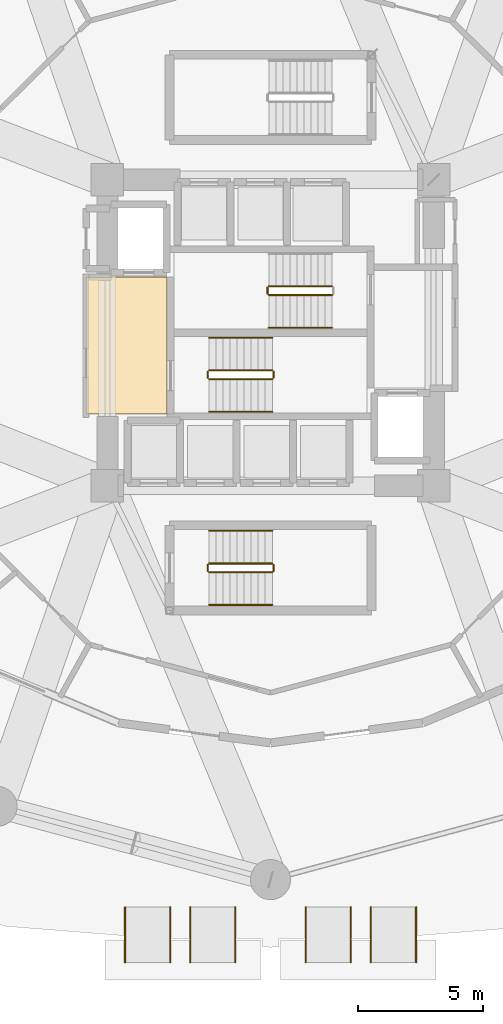
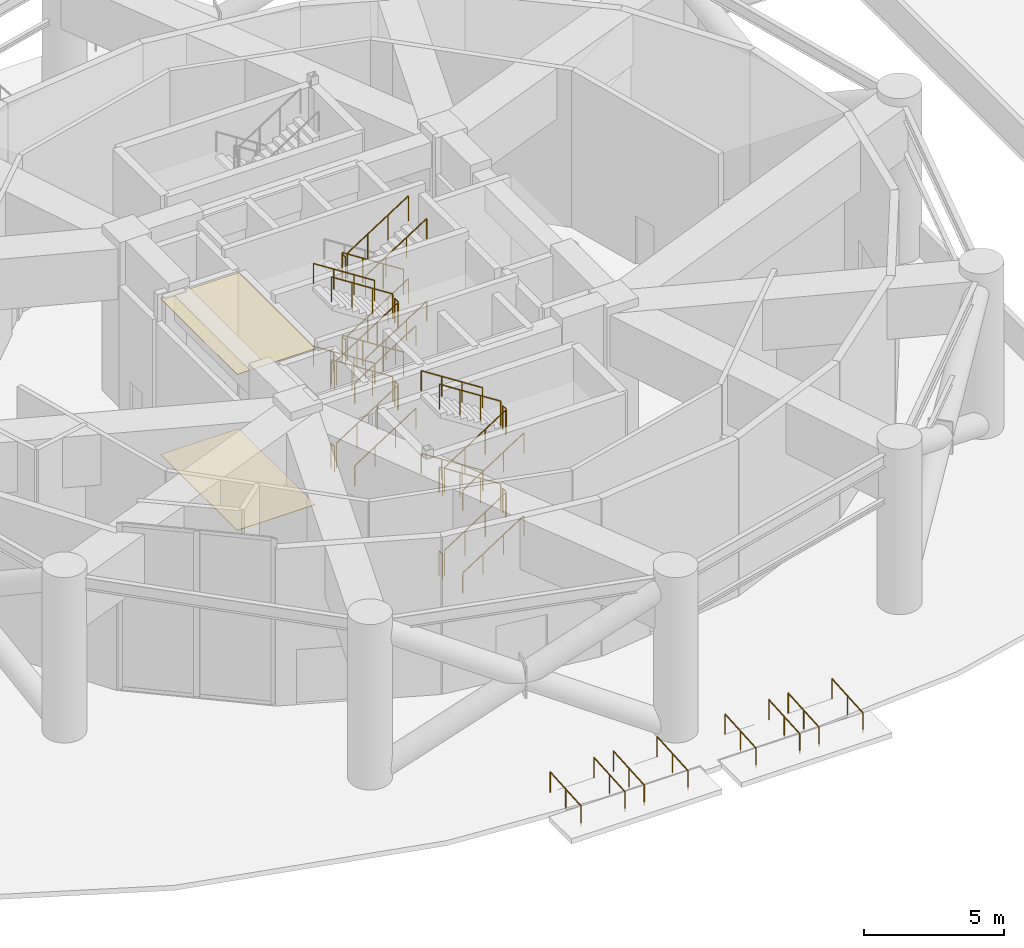
# One storey, part 14 of 16: 40 railings, 2 coverings.
"""IFC4 building model written with IfcOpenShell, lengths in metres."""

from ifc_helpers import new_model, si_unit, direction, frame, origin, origin_2d, place, context, subcontext, project, spatial, polyline, circle, outline, extrude, material, layer, layer_set, type_object, element, save


model = new_model("IFC4")

# Units and contexts
model_context = context("Model", 3, precision=1e-05, world=origin(), true_north=direction((0.0, 1.0)))
body_context = subcontext(model_context, "Body", "Model", "MODEL_VIEW")
ifc_project = project(units=[si_unit("LENGTHUNIT", "METRE"), si_unit("AREAUNIT", "SQUARE_METRE"), si_unit("VOLUMEUNIT", "CUBIC_METRE"), si_unit("PLANEANGLEUNIT", "RADIAN"), si_unit("MASSUNIT", "GRAM", prefix="KILO")], contexts=[model_context])

# Site, building, storey
site_placement = place(None, origin())
site = spatial("IfcSite", under=ifc_project, at=site_placement, CompositionType="ELEMENT")
building_placement = place(site_placement, origin())
building = spatial("IfcBuilding", under=site, at=building_placement, Name="Solvirekh Grand Hotel", CompositionType="ELEMENT")
storey_placement = place(building_placement, origin())
storey = spatial("IfcBuildingStorey", under=building, at=storey_placement, Name="L00", CompositionType="ELEMENT", Elevation=0.0)

# Coverings
ifc_material_1 = material(Name="Acoustic Mineral Ceiling Tile")
ifc_layer_1 = layer(ifc_material_1, 0.02490234375)
ifc_layer_set_1 = layer_set([ifc_layer_1], Name="Acoustic Mineral Ceiling Tile")
covering_type_1 = type_object("IfcCoveringType", Name="Cov_Ceiling_Acoustic", PredefinedType="CEILING", material=ifc_layer_set_1)
covering_1_placement = place(storey_placement, frame((0.0, 0.0, 6.7900390625)))
element("IfcCovering", 1, at=covering_1_placement, inside=storey, type_object=covering_type_1, Name="L00 Firefighting Lobby West acoustic ceiling", PredefinedType="CEILING", context=body_context, shape_type="SweptSolid", body=[
    extrude(outline(polyline([(-7.35009765625, -3.25), (-4.1298828125, -3.25), (-4.1298828125, 2.2099609375), (-7.35009765625, 2.2099609375), (-7.35009765625, -3.25)])), origin(), (0.0, 0.0, 1.0), 0.01806640625),
])
ifc_material_2 = material(Name="Porcelain Stoneware Flooring", Category="masonry")
ifc_layer_2 = layer(ifc_material_2, 0.030029296875)
ifc_layer_set_2 = layer_set([ifc_layer_2], Name="Porcelain Stoneware Flooring")
covering_type_2 = type_object("IfcCoveringType", Name="Cov_Floor_Stone", PredefinedType="FLOORING", material=ifc_layer_set_2)
covering_2_placement = place(storey_placement, origin())
element("IfcCovering", 2, at=covering_2_placement, inside=storey, type_object=covering_type_2, Name="L00 Firefighting Lobby West polished granite flooring", PredefinedType="FLOORING", context=body_context, shape_type="SweptSolid", body=[
    extrude(outline(polyline([(-7.35009765625, -3.25), (-4.1298828125, -3.25), (-4.1298828125, 2.2099609375), (-7.35009765625, 2.2099609375), (-7.35009765625, -3.25)])), origin(), (0.0, 0.0, 1.0), 0.02001953125),
])

# Railings
ifc_material_3 = material(Name="Steel S355", Category="steel")
railing_type_1 = type_object("IfcRailingType", Name="Guard_Stair_1100", PredefinedType="GUARDRAIL", material=ifc_material_3)
railing_1_placement = place(storey_placement, frame((-2.449951171875, -1.85009765625, 0.179931640625)))
element("IfcRailing", 3, at=railing_1_placement, inside=storey, type_object=railing_type_1, Name="L00 ST-1 stair guard 1", PredefinedType="GUARDRAIL", context=body_context, shape_type="SweptSolid", body=[
    extrude(circle(Radius=0.02392578125, at=origin_2d()), frame((0.0, 0.0, 1.076171875), z_axis=(0.841162588446, 0.0, 0.540782303519), x_axis=(0.0, 1.0, 0.0)), (0.0, 0.0, 1.0), 2.995849609375),
    extrude(circle(Radius=0.02099609375, at=origin_2d()), origin(), (0.0, 0.0, 1.0), 1.052001953125),
    extrude(circle(Radius=0.02099609375, at=origin_2d()), frame((0.840087890625, 0.0, 0.5400390625)), (0.0, 0.0, 1.0), 1.052001953125),
    extrude(circle(Radius=0.02099609375, at=origin_2d()), frame((1.679931640625, 0.0, 1.080078125)), (0.0, 0.0, 1.0), 1.052001953125),
    extrude(circle(Radius=0.02099609375, at=origin_2d()), frame((2.52001953125, 0.0, 1.6201171875)), (0.0, 0.0, 1.0), 1.052001953125),
])
railing_2_placement = place(storey_placement, frame((0.1201171875, -1.800048828125, 1.800048828125)))
element("IfcRailing", 4, at=railing_2_placement, inside=storey, type_object=railing_type_1, Name="L00 ST-1 stair guard 2", PredefinedType="GUARDRAIL", context=body_context, shape_type="SweptSolid", body=[
    extrude(circle(Radius=0.02392578125, at=origin_2d()), frame((0.0, 0.0, 1.076171875), z_axis=(0.0, 1.0, 0.0), x_axis=(-1.0, 0.0, 0.0)), (0.0, 0.0, 1.0), 0.25),
    extrude(circle(Radius=0.02099609375, at=origin_2d()), origin(), (0.0, 0.0, 1.0), 1.052001953125),
    extrude(circle(Radius=0.02099609375, at=origin_2d()), frame((0.0, 0.25, 0.0)), (0.0, 0.0, 1.0), 1.052001953125),
])
railing_3_placement = place(storey_placement, frame((0.070068359375, -1.5, 1.97998046875)))
element("IfcRailing", 5, at=railing_3_placement, inside=storey, type_object=railing_type_1, Name="L00 ST-1 stair guard 3", PredefinedType="GUARDRAIL", context=body_context, shape_type="SweptSolid", body=[
    extrude(circle(Radius=0.02392578125, at=origin_2d()), frame((0.0, 0.0, 1.076171875), z_axis=(-0.841162588446, 0.0, 0.540782303519), x_axis=(0.0, -1.0, 0.0)), (0.0, 0.0, 1.0), 2.995849609375),
    extrude(circle(Radius=0.02099609375, at=origin_2d()), origin(), (0.0, 0.0, 1.0), 1.052001953125),
    extrude(circle(Radius=0.02099609375, at=origin_2d()), frame((-0.840087890625, 0.0, 0.5400390625)), (0.0, 0.0, 1.0), 1.052001953125),
    extrude(circle(Radius=0.02099609375, at=origin_2d()), frame((-1.679931640625, 0.0, 1.080078125)), (0.0, 0.0, 1.0), 1.052001953125),
    extrude(circle(Radius=0.02099609375, at=origin_2d()), frame((-2.52001953125, 0.0, 1.6201171875)), (0.0, 0.0, 1.0), 1.052001953125),
])
railing_4_placement = place(storey_placement, frame((-2.5, -1.800048828125, 3.60009765625)))
element("IfcRailing", 6, at=railing_4_placement, inside=storey, type_object=railing_type_1, Name="L00 ST-1 stair guard 4", PredefinedType="GUARDRAIL", context=body_context, shape_type="SweptSolid", body=[
    extrude(circle(Radius=0.02392578125, at=origin_2d()), frame((0.0, 0.0, 1.076171875), z_axis=(0.0, 1.0, 0.0), x_axis=(-1.0, 0.0, 0.0)), (0.0, 0.0, 1.0), 0.25),
    extrude(circle(Radius=0.02099609375, at=origin_2d()), origin(), (0.0, 0.0, 1.0), 1.052001953125),
    extrude(circle(Radius=0.02099609375, at=origin_2d()), frame((0.0, 0.25, 0.0)), (0.0, 0.0, 1.0), 1.052001953125),
])
railing_5_placement = place(storey_placement, frame((-2.449951171875, -1.85009765625, 3.780029296875)))
element("IfcRailing", 7, at=railing_5_placement, inside=storey, type_object=railing_type_1, Name="L00 ST-1 stair guard 5", PredefinedType="GUARDRAIL", context=body_context, shape_type="SweptSolid", body=[
    extrude(circle(Radius=0.02392578125, at=origin_2d()), frame((0.0, 0.0, 1.076171875), z_axis=(0.841199657755, 0.0, 0.540724639528), x_axis=(0.0, 1.0, 0.0)), (0.0, 0.0, 1.0), 2.995849609375),
    extrude(circle(Radius=0.02099609375, at=origin_2d()), origin(), (0.0, 0.0, 1.0), 1.052001953125),
    extrude(circle(Radius=0.02099609375, at=origin_2d()), frame((0.840087890625, 0.0, 0.5400390625)), (0.0, 0.0, 1.0), 1.052001953125),
    extrude(circle(Radius=0.02099609375, at=origin_2d()), frame((1.679931640625, 0.0, 1.079833984375)), (0.0, 0.0, 1.0), 1.052001953125),
    extrude(circle(Radius=0.02099609375, at=origin_2d()), frame((2.52001953125, 0.0, 1.619873046875)), (0.0, 0.0, 1.0), 1.052001953125),
])
railing_6_placement = place(storey_placement, frame((0.1201171875, -1.800048828125, 5.39990234375)))
element("IfcRailing", 8, at=railing_6_placement, inside=storey, type_object=railing_type_1, Name="L00 ST-1 stair guard 6", PredefinedType="GUARDRAIL", context=body_context, shape_type="SweptSolid", body=[
    extrude(circle(Radius=0.02392578125, at=origin_2d()), frame((0.0, 0.0, 1.076171875), z_axis=(0.0, 1.0, 0.0), x_axis=(-1.0, 0.0, 0.0)), (0.0, 0.0, 1.0), 0.25),
    extrude(circle(Radius=0.02099609375, at=origin_2d()), origin(), (0.0, 0.0, 1.0), 1.052001953125),
    extrude(circle(Radius=0.02099609375, at=origin_2d()), frame((0.0, 0.25, 0.0)), (0.0, 0.0, 1.0), 1.052001953125),
])
railing_7_placement = place(storey_placement, frame((0.070068359375, -1.5, 5.580078125)))
element("IfcRailing", 9, at=railing_7_placement, inside=storey, type_object=railing_type_1, Name="L00 ST-1 stair guard 7", PredefinedType="GUARDRAIL", context=body_context, shape_type="SweptSolid", body=[
    extrude(circle(Radius=0.02392578125, at=origin_2d()), frame((0.0, 0.0, 1.076171875), z_axis=(-0.841199657755, 0.0, 0.540724639528), x_axis=(0.0, -1.0, 0.0)), (0.0, 0.0, 1.0), 2.995849609375),
    extrude(circle(Radius=0.02099609375, at=origin_2d()), origin(), (0.0, 0.0, 1.0), 1.052001953125),
    extrude(circle(Radius=0.02099609375, at=origin_2d()), frame((-0.840087890625, 0.0, 0.5400390625)), (0.0, 0.0, 1.0), 1.052001953125),
    extrude(circle(Radius=0.02099609375, at=origin_2d()), frame((-1.679931640625, 0.0, 1.079833984375)), (0.0, 0.0, 1.0), 1.052001953125),
    extrude(circle(Radius=0.02099609375, at=origin_2d()), frame((-2.52001953125, 0.0, 1.619873046875)), (0.0, 0.0, 1.0), 1.052001953125),
])
railing_8_placement = place(storey_placement, frame((-2.5, -1.800048828125, 0.0)))
element("IfcRailing", 10, at=railing_8_placement, inside=storey, type_object=railing_type_1, Name="L00 ST-1 stair guard 8", PredefinedType="GUARDRAIL", context=body_context, shape_type="SweptSolid", body=[
    extrude(circle(Radius=0.02392578125, at=origin_2d()), frame((0.0, 0.0, 1.076171875), z_axis=(0.0, 1.0, 0.0), x_axis=(-1.0, 0.0, 0.0)), (0.0, 0.0, 1.0), 0.25),
    extrude(circle(Radius=0.02099609375, at=origin_2d()), origin(), (0.0, 0.0, 1.0), 1.052001953125),
    extrude(circle(Radius=0.02099609375, at=origin_2d()), frame((0.0, 0.25, 0.0)), (0.0, 0.0, 1.0), 1.052001953125),
])
railing_9_placement = place(storey_placement, frame((2.449951171875, 1.85009765625, 0.179931640625)))
element("IfcRailing", 11, at=railing_9_placement, inside=storey, type_object=railing_type_1, Name="L00 ST-2 stair guard 1", PredefinedType="GUARDRAIL", context=body_context, shape_type="SweptSolid", body=[
    extrude(circle(Radius=0.02392578125, at=origin_2d()), frame((0.0, 0.0, 1.076171875), z_axis=(-0.841162588446, 0.0, 0.540782303519), x_axis=(0.0, -1.0, 0.0)), (0.0, 0.0, 1.0), 2.995849609375),
    extrude(circle(Radius=0.02099609375, at=origin_2d()), origin(), (0.0, 0.0, 1.0), 1.052001953125),
    extrude(circle(Radius=0.02099609375, at=origin_2d()), frame((-0.840087890625, 0.0, 0.5400390625)), (0.0, 0.0, 1.0), 1.052001953125),
    extrude(circle(Radius=0.02099609375, at=origin_2d()), frame((-1.679931640625, 0.0, 1.080078125)), (0.0, 0.0, 1.0), 1.052001953125),
    extrude(circle(Radius=0.02099609375, at=origin_2d()), frame((-2.52001953125, 0.0, 1.6201171875)), (0.0, 0.0, 1.0), 1.052001953125),
])
railing_10_placement = place(storey_placement, frame((-0.1201171875, 1.800048828125, 1.800048828125)))
element("IfcRailing", 12, at=railing_10_placement, inside=storey, type_object=railing_type_1, Name="L00 ST-2 stair guard 2", PredefinedType="GUARDRAIL", context=body_context, shape_type="SweptSolid", body=[
    extrude(circle(Radius=0.02392578125, at=origin_2d()), frame((0.0, 0.0, 1.076171875), z_axis=(0.0, -1.0, 0.0), x_axis=(1.0, 0.0, 0.0)), (0.0, 0.0, 1.0), 0.25),
    extrude(circle(Radius=0.02099609375, at=origin_2d()), origin(), (0.0, 0.0, 1.0), 1.052001953125),
    extrude(circle(Radius=0.02099609375, at=origin_2d()), frame((0.0, -0.25, 0.0)), (0.0, 0.0, 1.0), 1.052001953125),
])
railing_11_placement = place(storey_placement, frame((-0.070068359375, 1.5, 1.97998046875)))
element("IfcRailing", 13, at=railing_11_placement, inside=storey, type_object=railing_type_1, Name="L00 ST-2 stair guard 3", PredefinedType="GUARDRAIL", context=body_context, shape_type="SweptSolid", body=[
    extrude(circle(Radius=0.02392578125, at=origin_2d()), frame((0.0, 0.0, 1.076171875), z_axis=(0.841162588446, 0.0, 0.540782303519), x_axis=(0.0, 1.0, 0.0)), (0.0, 0.0, 1.0), 2.995849609375),
    extrude(circle(Radius=0.02099609375, at=origin_2d()), origin(), (0.0, 0.0, 1.0), 1.052001953125),
    extrude(circle(Radius=0.02099609375, at=origin_2d()), frame((0.840087890625, 0.0, 0.5400390625)), (0.0, 0.0, 1.0), 1.052001953125),
    extrude(circle(Radius=0.02099609375, at=origin_2d()), frame((1.679931640625, 0.0, 1.080078125)), (0.0, 0.0, 1.0), 1.052001953125),
    extrude(circle(Radius=0.02099609375, at=origin_2d()), frame((2.52001953125, 0.0, 1.6201171875)), (0.0, 0.0, 1.0), 1.052001953125),
])
railing_12_placement = place(storey_placement, frame((2.449951171875, 1.85009765625, 3.780029296875)))
element("IfcRailing", 14, at=railing_12_placement, inside=storey, type_object=railing_type_1, Name="L00 ST-2 stair guard 5", PredefinedType="GUARDRAIL", context=body_context, shape_type="SweptSolid", body=[
    extrude(circle(Radius=0.02392578125, at=origin_2d()), frame((0.0, 0.0, 1.076171875), z_axis=(-0.841199657755, 0.0, 0.540724639528), x_axis=(0.0, -1.0, 0.0)), (0.0, 0.0, 1.0), 2.995849609375),
    extrude(circle(Radius=0.02099609375, at=origin_2d()), origin(), (0.0, 0.0, 1.0), 1.052001953125),
    extrude(circle(Radius=0.02099609375, at=origin_2d()), frame((-0.840087890625, 0.0, 0.5400390625)), (0.0, 0.0, 1.0), 1.052001953125),
    extrude(circle(Radius=0.02099609375, at=origin_2d()), frame((-1.679931640625, 0.0, 1.079833984375)), (0.0, 0.0, 1.0), 1.052001953125),
    extrude(circle(Radius=0.02099609375, at=origin_2d()), frame((-2.52001953125, 0.0, 1.619873046875)), (0.0, 0.0, 1.0), 1.052001953125),
])
railing_13_placement = place(storey_placement, frame((-0.1201171875, 1.800048828125, 5.39990234375)))
element("IfcRailing", 15, at=railing_13_placement, inside=storey, type_object=railing_type_1, Name="L00 ST-2 stair guard 6", PredefinedType="GUARDRAIL", context=body_context, shape_type="SweptSolid", body=[
    extrude(circle(Radius=0.02392578125, at=origin_2d()), frame((0.0, 0.0, 1.076171875), z_axis=(0.0, -1.0, 0.0), x_axis=(1.0, 0.0, 0.0)), (0.0, 0.0, 1.0), 0.25),
    extrude(circle(Radius=0.02099609375, at=origin_2d()), origin(), (0.0, 0.0, 1.0), 1.052001953125),
    extrude(circle(Radius=0.02099609375, at=origin_2d()), frame((0.0, -0.25, 0.0)), (0.0, 0.0, 1.0), 1.052001953125),
])
railing_14_placement = place(storey_placement, frame((-0.070068359375, 1.5, 5.580078125)))
element("IfcRailing", 16, at=railing_14_placement, inside=storey, type_object=railing_type_1, Name="L00 ST-2 stair guard 7", PredefinedType="GUARDRAIL", context=body_context, shape_type="SweptSolid", body=[
    extrude(circle(Radius=0.02392578125, at=origin_2d()), frame((0.0, 0.0, 1.076171875), z_axis=(0.841199657755, 0.0, 0.540724639528), x_axis=(0.0, 1.0, 0.0)), (0.0, 0.0, 1.0), 2.995849609375),
    extrude(circle(Radius=0.02099609375, at=origin_2d()), origin(), (0.0, 0.0, 1.0), 1.052001953125),
    extrude(circle(Radius=0.02099609375, at=origin_2d()), frame((0.840087890625, 0.0, 0.5400390625)), (0.0, 0.0, 1.0), 1.052001953125),
    extrude(circle(Radius=0.02099609375, at=origin_2d()), frame((1.679931640625, 0.0, 1.079833984375)), (0.0, 0.0, 1.0), 1.052001953125),
    extrude(circle(Radius=0.02099609375, at=origin_2d()), frame((2.52001953125, 0.0, 1.619873046875)), (0.0, 0.0, 1.0), 1.052001953125),
])
railing_15_placement = place(storey_placement, frame((-2.449951171875, -9.550048828125, 0.179931640625)))
element("IfcRailing", 17, at=railing_15_placement, inside=storey, type_object=railing_type_1, Name="L00 ST-3 stair guard 1", PredefinedType="GUARDRAIL", context=body_context, shape_type="SweptSolid", body=[
    extrude(circle(Radius=0.02392578125, at=origin_2d()), frame((0.0, 0.0, 1.076171875), z_axis=(0.841162588446, 0.0, 0.540782303519), x_axis=(0.0, 1.0, 0.0)), (0.0, 0.0, 1.0), 2.995849609375),
    extrude(circle(Radius=0.02099609375, at=origin_2d()), origin(), (0.0, 0.0, 1.0), 1.052001953125),
    extrude(circle(Radius=0.02099609375, at=origin_2d()), frame((0.840087890625, 0.0, 0.5400390625)), (0.0, 0.0, 1.0), 1.052001953125),
    extrude(circle(Radius=0.02099609375, at=origin_2d()), frame((1.679931640625, 0.0, 1.080078125)), (0.0, 0.0, 1.0), 1.052001953125),
    extrude(circle(Radius=0.02099609375, at=origin_2d()), frame((2.52001953125, 0.0, 1.6201171875)), (0.0, 0.0, 1.0), 1.052001953125),
])
railing_16_placement = place(storey_placement, frame((0.1201171875, -9.5, 1.800048828125)))
element("IfcRailing", 18, at=railing_16_placement, inside=storey, type_object=railing_type_1, Name="L00 ST-3 stair guard 2", PredefinedType="GUARDRAIL", context=body_context, shape_type="SweptSolid", body=[
    extrude(circle(Radius=0.02392578125, at=origin_2d()), frame((0.0, 0.0, 1.076171875), z_axis=(0.0, 1.0, 0.0), x_axis=(-1.0, 0.0, 0.0)), (0.0, 0.0, 1.0), 0.25),
    extrude(circle(Radius=0.02099609375, at=origin_2d()), origin(), (0.0, 0.0, 1.0), 1.052001953125),
    extrude(circle(Radius=0.02099609375, at=origin_2d()), frame((0.0, 0.25, 0.0)), (0.0, 0.0, 1.0), 1.052001953125),
])
railing_17_placement = place(storey_placement, frame((0.070068359375, -9.199951171875, 1.97998046875)))
element("IfcRailing", 19, at=railing_17_placement, inside=storey, type_object=railing_type_1, Name="L00 ST-3 stair guard 3", PredefinedType="GUARDRAIL", context=body_context, shape_type="SweptSolid", body=[
    extrude(circle(Radius=0.02392578125, at=origin_2d()), frame((0.0, 0.0, 1.076171875), z_axis=(-0.841162588446, 0.0, 0.540782303519), x_axis=(0.0, -1.0, 0.0)), (0.0, 0.0, 1.0), 2.995849609375),
    extrude(circle(Radius=0.02099609375, at=origin_2d()), origin(), (0.0, 0.0, 1.0), 1.052001953125),
    extrude(circle(Radius=0.02099609375, at=origin_2d()), frame((-0.840087890625, 0.0, 0.5400390625)), (0.0, 0.0, 1.0), 1.052001953125),
    extrude(circle(Radius=0.02099609375, at=origin_2d()), frame((-1.679931640625, 0.0, 1.080078125)), (0.0, 0.0, 1.0), 1.052001953125),
    extrude(circle(Radius=0.02099609375, at=origin_2d()), frame((-2.52001953125, 0.0, 1.6201171875)), (0.0, 0.0, 1.0), 1.052001953125),
])
railing_18_placement = place(storey_placement, frame((-2.5, -9.5, 3.60009765625)))
element("IfcRailing", 20, at=railing_18_placement, inside=storey, type_object=railing_type_1, Name="L00 ST-3 stair guard 4", PredefinedType="GUARDRAIL", context=body_context, shape_type="SweptSolid", body=[
    extrude(circle(Radius=0.02392578125, at=origin_2d()), frame((0.0, 0.0, 1.076171875), z_axis=(0.0, 1.0, 0.0), x_axis=(-1.0, 0.0, 0.0)), (0.0, 0.0, 1.0), 0.25),
    extrude(circle(Radius=0.02099609375, at=origin_2d()), origin(), (0.0, 0.0, 1.0), 1.052001953125),
    extrude(circle(Radius=0.02099609375, at=origin_2d()), frame((0.0, 0.25, 0.0)), (0.0, 0.0, 1.0), 1.052001953125),
])
railing_19_placement = place(storey_placement, frame((-2.449951171875, -9.550048828125, 3.780029296875)))
element("IfcRailing", 21, at=railing_19_placement, inside=storey, type_object=railing_type_1, Name="L00 ST-3 stair guard 5", PredefinedType="GUARDRAIL", context=body_context, shape_type="SweptSolid", body=[
    extrude(circle(Radius=0.02392578125, at=origin_2d()), frame((0.0, 0.0, 1.076171875), z_axis=(0.841199657755, 0.0, 0.540724639528), x_axis=(0.0, 1.0, 0.0)), (0.0, 0.0, 1.0), 2.995849609375),
    extrude(circle(Radius=0.02099609375, at=origin_2d()), origin(), (0.0, 0.0, 1.0), 1.052001953125),
    extrude(circle(Radius=0.02099609375, at=origin_2d()), frame((0.840087890625, 0.0, 0.5400390625)), (0.0, 0.0, 1.0), 1.052001953125),
    extrude(circle(Radius=0.02099609375, at=origin_2d()), frame((1.679931640625, 0.0, 1.079833984375)), (0.0, 0.0, 1.0), 1.052001953125),
    extrude(circle(Radius=0.02099609375, at=origin_2d()), frame((2.52001953125, 0.0, 1.619873046875)), (0.0, 0.0, 1.0), 1.052001953125),
])
railing_20_placement = place(storey_placement, frame((0.1201171875, -9.5, 5.39990234375)))
element("IfcRailing", 22, at=railing_20_placement, inside=storey, type_object=railing_type_1, Name="L00 ST-3 stair guard 6", PredefinedType="GUARDRAIL", context=body_context, shape_type="SweptSolid", body=[
    extrude(circle(Radius=0.02392578125, at=origin_2d()), frame((0.0, 0.0, 1.076171875), z_axis=(0.0, 1.0, 0.0), x_axis=(-1.0, 0.0, 0.0)), (0.0, 0.0, 1.0), 0.25),
    extrude(circle(Radius=0.02099609375, at=origin_2d()), origin(), (0.0, 0.0, 1.0), 1.052001953125),
    extrude(circle(Radius=0.02099609375, at=origin_2d()), frame((0.0, 0.25, 0.0)), (0.0, 0.0, 1.0), 1.052001953125),
])
railing_21_placement = place(storey_placement, frame((0.070068359375, -9.199951171875, 5.580078125)))
element("IfcRailing", 23, at=railing_21_placement, inside=storey, type_object=railing_type_1, Name="L00 ST-3 stair guard 7", PredefinedType="GUARDRAIL", context=body_context, shape_type="SweptSolid", body=[
    extrude(circle(Radius=0.02392578125, at=origin_2d()), frame((0.0, 0.0, 1.076171875), z_axis=(-0.841199657755, 0.0, 0.540724639528), x_axis=(0.0, -1.0, 0.0)), (0.0, 0.0, 1.0), 2.995849609375),
    extrude(circle(Radius=0.02099609375, at=origin_2d()), origin(), (0.0, 0.0, 1.0), 1.052001953125),
    extrude(circle(Radius=0.02099609375, at=origin_2d()), frame((-0.840087890625, 0.0, 0.5400390625)), (0.0, 0.0, 1.0), 1.052001953125),
    extrude(circle(Radius=0.02099609375, at=origin_2d()), frame((-1.679931640625, 0.0, 1.079833984375)), (0.0, 0.0, 1.0), 1.052001953125),
    extrude(circle(Radius=0.02099609375, at=origin_2d()), frame((-2.52001953125, 0.0, 1.619873046875)), (0.0, 0.0, 1.0), 1.052001953125),
])
railing_22_placement = place(storey_placement, frame((-2.5, -9.5, 0.0)))
element("IfcRailing", 24, at=railing_22_placement, inside=storey, type_object=railing_type_1, Name="L00 ST-3 stair guard 8", PredefinedType="GUARDRAIL", context=body_context, shape_type="SweptSolid", body=[
    extrude(circle(Radius=0.02392578125, at=origin_2d()), frame((0.0, 0.0, 1.076171875), z_axis=(0.0, 1.0, 0.0), x_axis=(-1.0, 0.0, 0.0)), (0.0, 0.0, 1.0), 0.25),
    extrude(circle(Radius=0.02099609375, at=origin_2d()), origin(), (0.0, 0.0, 1.0), 1.052001953125),
    extrude(circle(Radius=0.02099609375, at=origin_2d()), frame((0.0, 0.25, 0.0)), (0.0, 0.0, 1.0), 1.052001953125),
])
ifc_material_4 = material(Name="Anodized Bronze Aluminium 6063-T6", Category="aluminium")
railing_type_2 = type_object("IfcRailingType", Name="Handrail_Wall_900", PredefinedType="HANDRAIL", material=ifc_material_4)
for number, where, name in (
    (25, (-5.800048828125, -25.10009765625, -0.14990234375), "Accessible ramp AR-1 west handrail"),
    (26, (-4.0, -25.10009765625, -0.14990234375), "Accessible ramp AR-1 east handrail"),
    (27, (-3.199951171875, -25.10009765625, -0.14990234375), "Accessible ramp AR-2 west handrail"),
    (28, (-1.39990234375, -25.10009765625, -0.14990234375), "Accessible ramp AR-2 east handrail"),
    (29, (1.39990234375, -25.10009765625, -0.14990234375), "Accessible ramp AR-3 west handrail"),
    (30, (3.199951171875, -25.10009765625, -0.14990234375), "Accessible ramp AR-3 east handrail"),
    (31, (4.0, -25.10009765625, -0.14990234375), "Accessible ramp AR-4 west handrail"),
    (32, (5.800048828125, -25.10009765625, -0.14990234375), "Accessible ramp AR-4 east handrail"),
):
    element("IfcRailing", number, at=place(storey_placement, frame(where)), inside=storey, type_object=railing_type_2, Name=name, PredefinedType="HANDRAIL", context=body_context, shape_type="SweptSolid", body=[
        extrude(circle(Radius=0.02392578125, at=origin_2d()), frame((0.0, 0.0, 0.8759765625), z_axis=(0.0, 0.997687106535, 0.067973799757), x_axis=(-1.0, 0.0, 0.0)), (0.0, 0.0, 1.0), 2.205322265625),
        extrude(circle(Radius=0.02099609375, at=origin_2d()), origin(), (0.0, 0.0, 1.0), 0.851806640625),
        extrude(circle(Radius=0.02099609375, at=origin_2d()), frame((0.0, 1.10009765625, 0.074951171875)), (0.0, 0.0, 1.0), 0.851806640625),
        extrude(circle(Radius=0.02099609375, at=origin_2d()), frame((0.0, 2.2001953125, 0.14990234375)), (0.0, 0.0, 1.0), 0.851806640625),
    ])
railing_23_placement = place(storey_placement, frame((-2.449951171875, -3.14990234375, 0.179931640625)))
element("IfcRailing", 33, at=railing_23_placement, inside=storey, type_object=railing_type_2, Name="L00 ST-1 stair handrail 1", PredefinedType="HANDRAIL", context=body_context, shape_type="SweptSolid", body=[
    extrude(circle(Radius=0.02392578125, at=origin_2d()), frame((0.0, 0.0, 0.8759765625), z_axis=(0.841162588446, 0.0, 0.540782303519), x_axis=(0.0, 1.0, 0.0)), (0.0, 0.0, 1.0), 2.995849609375),
    extrude(circle(Radius=0.02099609375, at=origin_2d()), origin(), (0.0, 0.0, 1.0), 0.851806640625),
    extrude(circle(Radius=0.02099609375, at=origin_2d()), frame((0.840087890625, 0.0, 0.5400390625)), (0.0, 0.0, 1.0), 0.851806640625),
    extrude(circle(Radius=0.02099609375, at=origin_2d()), frame((1.679931640625, 0.0, 1.080078125)), (0.0, 0.0, 1.0), 0.851806640625),
    extrude(circle(Radius=0.02099609375, at=origin_2d()), frame((2.52001953125, 0.0, 1.6201171875)), (0.0, 0.0, 1.0), 0.851806640625),
])
railing_24_placement = place(storey_placement, frame((0.070068359375, -0.199951171875, 1.97998046875)))
element("IfcRailing", 34, at=railing_24_placement, inside=storey, type_object=railing_type_2, Name="L00 ST-1 stair handrail 2", PredefinedType="HANDRAIL", context=body_context, shape_type="SweptSolid", body=[
    extrude(circle(Radius=0.02392578125, at=origin_2d()), frame((0.0, 0.0, 0.8759765625), z_axis=(-0.841162588446, 0.0, 0.540782303519), x_axis=(0.0, -1.0, 0.0)), (0.0, 0.0, 1.0), 2.995849609375),
    extrude(circle(Radius=0.02099609375, at=origin_2d()), origin(), (0.0, 0.0, 1.0), 0.851806640625),
    extrude(circle(Radius=0.02099609375, at=origin_2d()), frame((-0.840087890625, 0.0, 0.5400390625)), (0.0, 0.0, 1.0), 0.851806640625),
    extrude(circle(Radius=0.02099609375, at=origin_2d()), frame((-1.679931640625, 0.0, 1.080078125)), (0.0, 0.0, 1.0), 0.851806640625),
    extrude(circle(Radius=0.02099609375, at=origin_2d()), frame((-2.52001953125, 0.0, 1.6201171875)), (0.0, 0.0, 1.0), 0.851806640625),
])
railing_25_placement = place(storey_placement, frame((-2.449951171875, -3.14990234375, 3.780029296875)))
element("IfcRailing", 35, at=railing_25_placement, inside=storey, type_object=railing_type_2, Name="L00 ST-1 stair handrail 3", PredefinedType="HANDRAIL", context=body_context, shape_type="SweptSolid", body=[
    extrude(circle(Radius=0.02392578125, at=origin_2d()), frame((0.0, 0.0, 0.8759765625), z_axis=(0.841199657755, 0.0, 0.540724639528), x_axis=(0.0, 1.0, 0.0)), (0.0, 0.0, 1.0), 2.995849609375),
    extrude(circle(Radius=0.02099609375, at=origin_2d()), origin(), (0.0, 0.0, 1.0), 0.851806640625),
    extrude(circle(Radius=0.02099609375, at=origin_2d()), frame((0.840087890625, 0.0, 0.5400390625)), (0.0, 0.0, 1.0), 0.851806640625),
    extrude(circle(Radius=0.02099609375, at=origin_2d()), frame((1.679931640625, 0.0, 1.079833984375)), (0.0, 0.0, 1.0), 0.851806640625),
    extrude(circle(Radius=0.02099609375, at=origin_2d()), frame((2.52001953125, 0.0, 1.619873046875)), (0.0, 0.0, 1.0), 0.851806640625),
])
railing_26_placement = place(storey_placement, frame((0.070068359375, -0.199951171875, 5.580078125)))
element("IfcRailing", 36, at=railing_26_placement, inside=storey, type_object=railing_type_2, Name="L00 ST-1 stair handrail 4", PredefinedType="HANDRAIL", context=body_context, shape_type="SweptSolid", body=[
    extrude(circle(Radius=0.02392578125, at=origin_2d()), frame((0.0, 0.0, 0.8759765625), z_axis=(-0.841199657755, 0.0, 0.540724639528), x_axis=(0.0, -1.0, 0.0)), (0.0, 0.0, 1.0), 2.995849609375),
    extrude(circle(Radius=0.02099609375, at=origin_2d()), origin(), (0.0, 0.0, 1.0), 0.851806640625),
    extrude(circle(Radius=0.02099609375, at=origin_2d()), frame((-0.840087890625, 0.0, 0.5400390625)), (0.0, 0.0, 1.0), 0.851806640625),
    extrude(circle(Radius=0.02099609375, at=origin_2d()), frame((-1.679931640625, 0.0, 1.079833984375)), (0.0, 0.0, 1.0), 0.851806640625),
    extrude(circle(Radius=0.02099609375, at=origin_2d()), frame((-2.52001953125, 0.0, 1.619873046875)), (0.0, 0.0, 1.0), 0.851806640625),
])
railing_27_placement = place(storey_placement, frame((-0.070068359375, 0.199951171875, 1.97998046875)))
element("IfcRailing", 37, at=railing_27_placement, inside=storey, type_object=railing_type_2, Name="L00 ST-2 stair handrail 2", PredefinedType="HANDRAIL", context=body_context, shape_type="SweptSolid", body=[
    extrude(circle(Radius=0.02392578125, at=origin_2d()), frame((0.0, 0.0, 0.8759765625), z_axis=(0.841162588446, 0.0, 0.540782303519), x_axis=(0.0, 1.0, 0.0)), (0.0, 0.0, 1.0), 2.995849609375),
    extrude(circle(Radius=0.02099609375, at=origin_2d()), origin(), (0.0, 0.0, 1.0), 0.851806640625),
    extrude(circle(Radius=0.02099609375, at=origin_2d()), frame((0.840087890625, 0.0, 0.5400390625)), (0.0, 0.0, 1.0), 0.851806640625),
    extrude(circle(Radius=0.02099609375, at=origin_2d()), frame((1.679931640625, 0.0, 1.080078125)), (0.0, 0.0, 1.0), 0.851806640625),
    extrude(circle(Radius=0.02099609375, at=origin_2d()), frame((2.52001953125, 0.0, 1.6201171875)), (0.0, 0.0, 1.0), 0.851806640625),
])
railing_28_placement = place(storey_placement, frame((-0.070068359375, 0.199951171875, 5.580078125)))
element("IfcRailing", 38, at=railing_28_placement, inside=storey, type_object=railing_type_2, Name="L00 ST-2 stair handrail 4", PredefinedType="HANDRAIL", context=body_context, shape_type="SweptSolid", body=[
    extrude(circle(Radius=0.02392578125, at=origin_2d()), frame((0.0, 0.0, 0.8759765625), z_axis=(0.841199657755, 0.0, 0.540724639528), x_axis=(0.0, 1.0, 0.0)), (0.0, 0.0, 1.0), 2.995849609375),
    extrude(circle(Radius=0.02099609375, at=origin_2d()), origin(), (0.0, 0.0, 1.0), 0.851806640625),
    extrude(circle(Radius=0.02099609375, at=origin_2d()), frame((0.840087890625, 0.0, 0.5400390625)), (0.0, 0.0, 1.0), 0.851806640625),
    extrude(circle(Radius=0.02099609375, at=origin_2d()), frame((1.679931640625, 0.0, 1.079833984375)), (0.0, 0.0, 1.0), 0.851806640625),
    extrude(circle(Radius=0.02099609375, at=origin_2d()), frame((2.52001953125, 0.0, 1.619873046875)), (0.0, 0.0, 1.0), 0.851806640625),
])
railing_29_placement = place(storey_placement, frame((-2.449951171875, -10.85009765625, 0.179931640625)))
element("IfcRailing", 39, at=railing_29_placement, inside=storey, type_object=railing_type_2, Name="L00 ST-3 stair handrail 1", PredefinedType="HANDRAIL", context=body_context, shape_type="SweptSolid", body=[
    extrude(circle(Radius=0.02392578125, at=origin_2d()), frame((0.0, 0.0, 0.8759765625), z_axis=(0.841162588446, 0.0, 0.540782303519), x_axis=(0.0, 1.0, 0.0)), (0.0, 0.0, 1.0), 2.995849609375),
    extrude(circle(Radius=0.02099609375, at=origin_2d()), origin(), (0.0, 0.0, 1.0), 0.851806640625),
    extrude(circle(Radius=0.02099609375, at=origin_2d()), frame((0.840087890625, 0.0, 0.5400390625)), (0.0, 0.0, 1.0), 0.851806640625),
    extrude(circle(Radius=0.02099609375, at=origin_2d()), frame((1.679931640625, 0.0, 1.080078125)), (0.0, 0.0, 1.0), 0.851806640625),
    extrude(circle(Radius=0.02099609375, at=origin_2d()), frame((2.52001953125, 0.0, 1.6201171875)), (0.0, 0.0, 1.0), 0.851806640625),
])
railing_30_placement = place(storey_placement, frame((0.070068359375, -7.89990234375, 1.97998046875)))
element("IfcRailing", 40, at=railing_30_placement, inside=storey, type_object=railing_type_2, Name="L00 ST-3 stair handrail 2", PredefinedType="HANDRAIL", context=body_context, shape_type="SweptSolid", body=[
    extrude(circle(Radius=0.02392578125, at=origin_2d()), frame((0.0, 0.0, 0.8759765625), z_axis=(-0.841162588446, 0.0, 0.540782303519), x_axis=(0.0, -1.0, 0.0)), (0.0, 0.0, 1.0), 2.995849609375),
    extrude(circle(Radius=0.02099609375, at=origin_2d()), origin(), (0.0, 0.0, 1.0), 0.851806640625),
    extrude(circle(Radius=0.02099609375, at=origin_2d()), frame((-0.840087890625, 0.0, 0.5400390625)), (0.0, 0.0, 1.0), 0.851806640625),
    extrude(circle(Radius=0.02099609375, at=origin_2d()), frame((-1.679931640625, 0.0, 1.080078125)), (0.0, 0.0, 1.0), 0.851806640625),
    extrude(circle(Radius=0.02099609375, at=origin_2d()), frame((-2.52001953125, 0.0, 1.6201171875)), (0.0, 0.0, 1.0), 0.851806640625),
])
railing_31_placement = place(storey_placement, frame((-2.449951171875, -10.85009765625, 3.780029296875)))
element("IfcRailing", 41, at=railing_31_placement, inside=storey, type_object=railing_type_2, Name="L00 ST-3 stair handrail 3", PredefinedType="HANDRAIL", context=body_context, shape_type="SweptSolid", body=[
    extrude(circle(Radius=0.02392578125, at=origin_2d()), frame((0.0, 0.0, 0.8759765625), z_axis=(0.841199657755, 0.0, 0.540724639528), x_axis=(0.0, 1.0, 0.0)), (0.0, 0.0, 1.0), 2.995849609375),
    extrude(circle(Radius=0.02099609375, at=origin_2d()), origin(), (0.0, 0.0, 1.0), 0.851806640625),
    extrude(circle(Radius=0.02099609375, at=origin_2d()), frame((0.840087890625, 0.0, 0.5400390625)), (0.0, 0.0, 1.0), 0.851806640625),
    extrude(circle(Radius=0.02099609375, at=origin_2d()), frame((1.679931640625, 0.0, 1.079833984375)), (0.0, 0.0, 1.0), 0.851806640625),
    extrude(circle(Radius=0.02099609375, at=origin_2d()), frame((2.52001953125, 0.0, 1.619873046875)), (0.0, 0.0, 1.0), 0.851806640625),
])
railing_32_placement = place(storey_placement, frame((0.070068359375, -7.89990234375, 5.580078125)))
element("IfcRailing", 42, at=railing_32_placement, inside=storey, type_object=railing_type_2, Name="L00 ST-3 stair handrail 4", PredefinedType="HANDRAIL", context=body_context, shape_type="SweptSolid", body=[
    extrude(circle(Radius=0.02392578125, at=origin_2d()), frame((0.0, 0.0, 0.8759765625), z_axis=(-0.841199657755, 0.0, 0.540724639528), x_axis=(0.0, -1.0, 0.0)), (0.0, 0.0, 1.0), 2.995849609375),
    extrude(circle(Radius=0.02099609375, at=origin_2d()), origin(), (0.0, 0.0, 1.0), 0.851806640625),
    extrude(circle(Radius=0.02099609375, at=origin_2d()), frame((-0.840087890625, 0.0, 0.5400390625)), (0.0, 0.0, 1.0), 0.851806640625),
    extrude(circle(Radius=0.02099609375, at=origin_2d()), frame((-1.679931640625, 0.0, 1.079833984375)), (0.0, 0.0, 1.0), 0.851806640625),
    extrude(circle(Radius=0.02099609375, at=origin_2d()), frame((-2.52001953125, 0.0, 1.619873046875)), (0.0, 0.0, 1.0), 0.851806640625),
])

save(model, "model.ifc")
